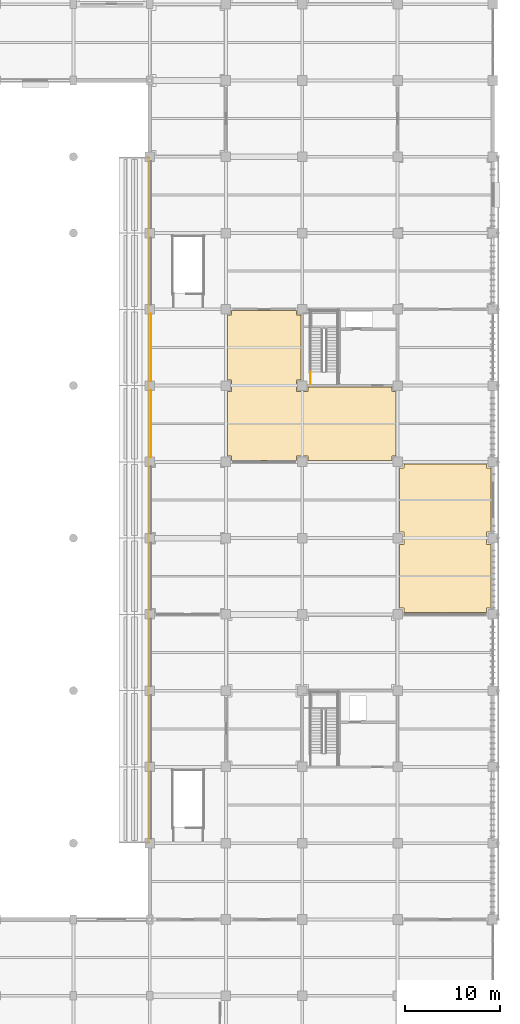
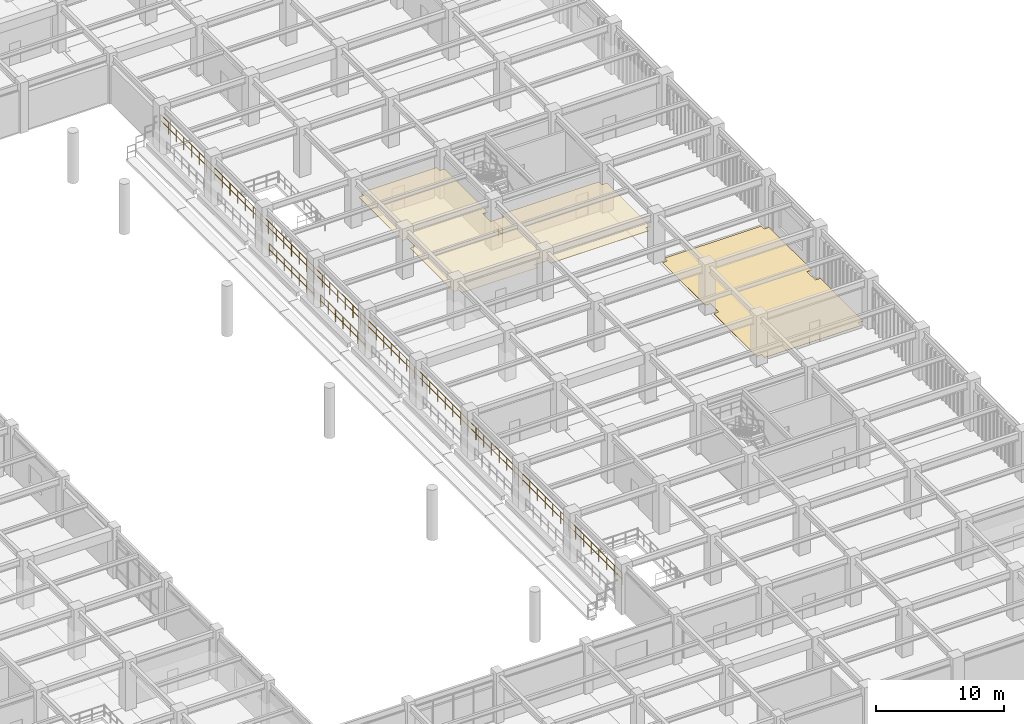
# One storey, part 112 of 117: 4 railings, 2 coverings.
"""IFC4 building model written with IfcOpenShell, lengths in metres."""

from ifc_helpers import new_model, si_unit, direction, frame, origin, origin_2d, place, context, subcontext, project, spatial, polyline, circle, outline, extrude, material, layer, layer_set, type_object, element, save


model = new_model("IFC4")

# Units and contexts
model_context = context("Model", 3, precision=1e-05, world=origin(), true_north=direction((0.0, 1.0)))
body_context = subcontext(model_context, "Body", "Model", "MODEL_VIEW")
ifc_project = project(units=[si_unit("LENGTHUNIT", "METRE"), si_unit("AREAUNIT", "SQUARE_METRE"), si_unit("VOLUMEUNIT", "CUBIC_METRE"), si_unit("PLANEANGLEUNIT", "RADIAN"), si_unit("MASSUNIT", "GRAM", prefix="KILO")], contexts=[model_context])

# Site, building, storey
site_placement = place(None, origin())
site = spatial("IfcSite", under=ifc_project, at=site_placement, CompositionType="ELEMENT")
building_placement = place(site_placement, origin())
building = spatial("IfcBuilding", under=site, at=building_placement, Name="Haebicheon Civic Stadium", CompositionType="ELEMENT")
storey_placement = place(building_placement, frame((0.0, 0.0, 4.800048828125)))
storey = spatial("IfcBuildingStorey", under=building, at=storey_placement, Name="L02", CompositionType="ELEMENT", Elevation=4.800048828125)

# Coverings
ifc_material_1 = material(Name="Perforated mineral-fibre acoustic board", Category="gypsum")
ifc_layer_1 = layer(ifc_material_1, 0.0400390625, Name="Perforated mineral-fibre acoustic board")
ifc_layer_set_1 = layer_set([ifc_layer_1], Name="Perforated mineral-fibre acoustic board")
covering_type_1 = type_object("IfcCoveringType", Name="COV-CLG-AC", PredefinedType="CEILING", material=ifc_layer_set_1)
covering_1_placement = place(storey_placement, frame((0.0, 0.0, 2.81005859375)))
element("IfcCovering", 1, at=covering_1_placement, inside=storey, type_object=covering_type_1, material=ifc_layer_set_1, Name="L02 Community Stand Concourse acoustic ceiling", PredefinedType="CEILING", context=body_context, shape_type="SweptSolid", body=[
    extrude(outline(polyline([(208.14501953125, 103.405029296875), (208.594970703125, 103.405029296875), (208.594970703125, 104.594970703125), (208.14501953125, 104.594970703125), (208.14501953125, 111.405029296875), (208.594970703125, 111.405029296875), (208.594970703125, 111.85498046875), (215.405029296875, 111.85498046875), (215.405029296875, 111.405029296875), (215.85498046875, 111.405029296875), (215.85498046875, 104.594970703125), (215.405029296875, 104.594970703125), (215.405029296875, 103.405029296875), (216.594970703125, 103.405029296875), (216.594970703125, 103.85498046875), (225.405029296875, 103.85498046875), (225.405029296875, 103.405029296875), (225.85498046875, 103.405029296875), (225.85498046875, 96.594970703125), (225.405029296875, 96.594970703125), (225.405029296875, 96.14501953125), (216.594970703125, 96.14501953125), (216.594970703125, 96.594970703125), (215.405029296875, 96.594970703125), (215.405029296875, 96.14501953125), (208.594970703125, 96.14501953125), (208.594970703125, 96.594970703125), (208.14501953125, 96.594970703125), (208.14501953125, 103.405029296875)])), origin(), (0.0, 0.0, 1.0), 0.039794921875),
])
ifc_material_2 = material(Name="Quartz epoxy resin mortar", Category="concrete")
ifc_layer_2 = layer(ifc_material_2, 0.030029296875, Name="Quartz epoxy resin mortar")
ifc_layer_set_2 = layer_set([ifc_layer_2], Name="Quartz epoxy resin mortar")
covering_type_2 = type_object("IfcCoveringType", Name="COV-FLR-EPX", PredefinedType="FLOORING", material=ifc_layer_set_2)
covering_2_placement = place(storey_placement, origin())
element("IfcCovering", 2, at=covering_2_placement, inside=storey, type_object=covering_type_2, material=ifc_layer_set_2, Name="L02 Sports Rehabilitation Gym non-slip floor finish", PredefinedType="FLOORING", context=body_context, shape_type="SweptSolid", body=[
    extrude(outline(polyline([(226.64990234375, 80.199951171875), (226.64990234375, 80.64990234375), (226.199951171875, 80.64990234375), (226.199951171875, 87.35009765625), (226.64990234375, 87.35009765625), (226.64990234375, 88.64990234375), (226.199951171875, 88.64990234375), (226.199951171875, 95.35009765625), (226.64990234375, 95.35009765625), (226.64990234375, 95.800048828125), (235.35009765625, 95.800048828125), (235.35009765625, 95.35009765625), (235.800048828125, 95.35009765625), (235.800048828125, 88.64990234375), (235.35009765625, 88.64990234375), (235.35009765625, 87.35009765625), (235.800048828125, 87.35009765625), (235.800048828125, 80.64990234375), (235.35009765625, 80.64990234375), (235.35009765625, 80.199951171875), (226.64990234375, 80.199951171875)])), origin(), (0.0, 0.0, 1.0), 0.030029296875),
])

# Railings
ifc_material_3 = material(Name="Stainless steel 316 and laminated glass", Category="steel")
railing_type_1 = type_object("IfcRailingType", Name="RL-BAL-1200", PredefinedType="BALUSTRADE", material=ifc_material_3)
for number, where, name in (
    (3, (200.139892578125, 96.5, 0.0), "L02 concourse bowl-edge balustrade 038"),
    (4, (200.139892578125, 104.5, 0.0), "L02 concourse bowl-edge balustrade 039"),
):
    element("IfcRailing", number, at=place(storey_placement, frame(where)), inside=storey, type_object=railing_type_1, material=ifc_material_3, Name=name, PredefinedType="BALUSTRADE", context=body_context, shape_type="SweptSolid", body=[
        extrude(circle(Radius=0.02392578125, at=origin_2d()), frame((0.0, 0.0, 1.17578125), z_axis=(0.0, 1.0, 0.0), x_axis=(-1.0, 0.0, 0.0)), (0.0, 0.0, 1.0), 7.0),
        extrude(circle(Radius=0.02392578125, at=origin_2d()), frame((0.0, 0.0, 0.60009765625), z_axis=(0.0, 1.0, 0.0), x_axis=(-1.0, 0.0, 0.0)), (0.0, 0.0, 1.0), 7.0),
        extrude(circle(Radius=0.02099609375, at=origin_2d()), origin(), (0.0, 0.0, 1.0), 1.15185546875),
        extrude(circle(Radius=0.02099609375, at=origin_2d()), frame((0.0, 1.166748046875, 0.0)), (0.0, 0.0, 1.0), 1.15185546875),
        extrude(circle(Radius=0.02099609375, at=origin_2d()), frame((0.0, 2.333251953125, 0.0)), (0.0, 0.0, 1.0), 1.15185546875),
        extrude(circle(Radius=0.02099609375, at=origin_2d()), frame((0.0, 3.5, 0.0)), (0.0, 0.0, 1.0), 1.15185546875),
        extrude(circle(Radius=0.02099609375, at=origin_2d()), frame((0.0, 4.666748046875, 0.0)), (0.0, 0.0, 1.0), 1.15185546875),
        extrude(circle(Radius=0.02099609375, at=origin_2d()), frame((0.0, 5.833251953125, 0.0)), (0.0, 0.0, 1.0), 1.15185546875),
        extrude(circle(Radius=0.02099609375, at=origin_2d()), frame((0.0, 7.0, 0.0)), (0.0, 0.0, 1.0), 1.15185546875),
    ])
railing_1_placement = place(storey_placement, frame((199.8798828125, 56.06005859375, 2.39990234375)))
element("IfcRailing", 5, at=railing_1_placement, inside=storey, type_object=railing_type_1, material=ifc_material_3, Name="TIER-C-L upper gangway balustrade", PredefinedType="BALUSTRADE", context=body_context, shape_type="SweptSolid", body=[
    extrude(circle(Radius=0.02392578125, at=origin_2d()), frame((0.0, 0.0, 1.17578125), z_axis=(0.0, 1.0, 0.0), x_axis=(-1.0, 0.0, 0.0)), (0.0, 0.0, 1.0), 71.8798828125),
    extrude(circle(Radius=0.02392578125, at=origin_2d()), frame((0.0, 0.0, 0.60009765625), z_axis=(0.0, 1.0, 0.0), x_axis=(-1.0, 0.0, 0.0)), (0.0, 0.0, 1.0), 71.8798828125),
    extrude(circle(Radius=0.02099609375, at=origin_2d()), origin(), (0.0, 0.0, 1.0), 1.15185546875),
    extrude(circle(Radius=0.02099609375, at=origin_2d()), frame((0.0, 1.197998046875, 0.0)), (0.0, 0.0, 1.0), 1.15185546875),
    extrude(circle(Radius=0.02099609375, at=origin_2d()), frame((0.0, 2.39599609375, 0.0)), (0.0, 0.0, 1.0), 1.15185546875),
    extrude(circle(Radius=0.02099609375, at=origin_2d()), frame((0.0, 3.593994140625, 0.0)), (0.0, 0.0, 1.0), 1.15185546875),
    extrude(circle(Radius=0.02099609375, at=origin_2d()), frame((0.0, 4.7919921875, 0.0)), (0.0, 0.0, 1.0), 1.15185546875),
    extrude(circle(Radius=0.02099609375, at=origin_2d()), frame((0.0, 5.989990234375, 0.0)), (0.0, 0.0, 1.0), 1.15185546875),
    extrude(circle(Radius=0.02099609375, at=origin_2d()), frame((0.0, 7.18798828125, 0.0)), (0.0, 0.0, 1.0), 1.15185546875),
    extrude(circle(Radius=0.02099609375, at=origin_2d()), frame((0.0, 8.385986328125, 0.0)), (0.0, 0.0, 1.0), 1.15185546875),
    extrude(circle(Radius=0.02099609375, at=origin_2d()), frame((0.0, 9.583984375, 0.0)), (0.0, 0.0, 1.0), 1.15185546875),
    extrude(circle(Radius=0.02099609375, at=origin_2d()), frame((0.0, 10.781982421875, 0.0)), (0.0, 0.0, 1.0), 1.15185546875),
    extrude(circle(Radius=0.02099609375, at=origin_2d()), frame((0.0, 11.97998046875, 0.0)), (0.0, 0.0, 1.0), 1.15185546875),
    extrude(circle(Radius=0.02099609375, at=origin_2d()), frame((0.0, 13.177978515625, 0.0)), (0.0, 0.0, 1.0), 1.15185546875),
    extrude(circle(Radius=0.02099609375, at=origin_2d()), frame((0.0, 14.3759765625, 0.0)), (0.0, 0.0, 1.0), 1.15185546875),
    extrude(circle(Radius=0.02099609375, at=origin_2d()), frame((0.0, 15.573974609375, 0.0)), (0.0, 0.0, 1.0), 1.15185546875),
    extrude(circle(Radius=0.02099609375, at=origin_2d()), frame((0.0, 16.77197265625, 0.0)), (0.0, 0.0, 1.0), 1.15185546875),
    extrude(circle(Radius=0.02099609375, at=origin_2d()), frame((0.0, 17.969970703125, 0.0)), (0.0, 0.0, 1.0), 1.15185546875),
    extrude(circle(Radius=0.02099609375, at=origin_2d()), frame((0.0, 19.16796875, 0.0)), (0.0, 0.0, 1.0), 1.15185546875),
    extrude(circle(Radius=0.02099609375, at=origin_2d()), frame((0.0, 20.365966796875, 0.0)), (0.0, 0.0, 1.0), 1.15185546875),
    extrude(circle(Radius=0.02099609375, at=origin_2d()), frame((0.0, 21.56396484375, 0.0)), (0.0, 0.0, 1.0), 1.15185546875),
    extrude(circle(Radius=0.02099609375, at=origin_2d()), frame((0.0, 22.761962890625, 0.0)), (0.0, 0.0, 1.0), 1.15185546875),
    extrude(circle(Radius=0.02099609375, at=origin_2d()), frame((0.0, 23.9599609375, 0.0)), (0.0, 0.0, 1.0), 1.15185546875),
    extrude(circle(Radius=0.02099609375, at=origin_2d()), frame((0.0, 25.157958984375, 0.0)), (0.0, 0.0, 1.0), 1.15185546875),
    extrude(circle(Radius=0.02099609375, at=origin_2d()), frame((0.0, 26.35595703125, 0.0)), (0.0, 0.0, 1.0), 1.15185546875),
    extrude(circle(Radius=0.02099609375, at=origin_2d()), frame((0.0, 27.553955078125, 0.0)), (0.0, 0.0, 1.0), 1.15185546875),
    extrude(circle(Radius=0.02099609375, at=origin_2d()), frame((0.0, 28.751953125, 0.0)), (0.0, 0.0, 1.0), 1.15185546875),
    extrude(circle(Radius=0.02099609375, at=origin_2d()), frame((0.0, 29.949951171875, 0.0)), (0.0, 0.0, 1.0), 1.15185546875),
    extrude(circle(Radius=0.02099609375, at=origin_2d()), frame((0.0, 31.14794921875, 0.0)), (0.0, 0.0, 1.0), 1.15185546875),
    extrude(circle(Radius=0.02099609375, at=origin_2d()), frame((0.0, 32.345947265625, 0.0)), (0.0, 0.0, 1.0), 1.15185546875),
    extrude(circle(Radius=0.02099609375, at=origin_2d()), frame((0.0, 33.5439453125, 0.0)), (0.0, 0.0, 1.0), 1.15185546875),
    extrude(circle(Radius=0.02099609375, at=origin_2d()), frame((0.0, 34.741943359375, 0.0)), (0.0, 0.0, 1.0), 1.15185546875),
    extrude(circle(Radius=0.02099609375, at=origin_2d()), frame((0.0, 35.93994140625, 0.0)), (0.0, 0.0, 1.0), 1.15185546875),
    extrude(circle(Radius=0.02099609375, at=origin_2d()), frame((0.0, 37.137939453125, 0.0)), (0.0, 0.0, 1.0), 1.15185546875),
    extrude(circle(Radius=0.02099609375, at=origin_2d()), frame((0.0, 38.3359375, 0.0)), (0.0, 0.0, 1.0), 1.15185546875),
    extrude(circle(Radius=0.02099609375, at=origin_2d()), frame((0.0, 39.533935546875, 0.0)), (0.0, 0.0, 1.0), 1.15185546875),
    extrude(circle(Radius=0.02099609375, at=origin_2d()), frame((0.0, 40.73193359375, 0.0)), (0.0, 0.0, 1.0), 1.15185546875),
    extrude(circle(Radius=0.02099609375, at=origin_2d()), frame((0.0, 41.929931640625, 0.0)), (0.0, 0.0, 1.0), 1.15185546875),
    extrude(circle(Radius=0.02099609375, at=origin_2d()), frame((0.0, 43.1279296875, 0.0)), (0.0, 0.0, 1.0), 1.15185546875),
    extrude(circle(Radius=0.02099609375, at=origin_2d()), frame((0.0, 44.325927734375, 0.0)), (0.0, 0.0, 1.0), 1.15185546875),
    extrude(circle(Radius=0.02099609375, at=origin_2d()), frame((0.0, 45.52392578125, 0.0)), (0.0, 0.0, 1.0), 1.15185546875),
    extrude(circle(Radius=0.02099609375, at=origin_2d()), frame((0.0, 46.721923828125, 0.0)), (0.0, 0.0, 1.0), 1.15185546875),
    extrude(circle(Radius=0.02099609375, at=origin_2d()), frame((0.0, 47.919921875, 0.0)), (0.0, 0.0, 1.0), 1.15185546875),
    extrude(circle(Radius=0.02099609375, at=origin_2d()), frame((0.0, 49.117919921875, 0.0)), (0.0, 0.0, 1.0), 1.15185546875),
    extrude(circle(Radius=0.02099609375, at=origin_2d()), frame((0.0, 50.31591796875, 0.0)), (0.0, 0.0, 1.0), 1.15185546875),
    extrude(circle(Radius=0.02099609375, at=origin_2d()), frame((0.0, 51.513916015625, 0.0)), (0.0, 0.0, 1.0), 1.15185546875),
    extrude(circle(Radius=0.02099609375, at=origin_2d()), frame((0.0, 52.7119140625, 0.0)), (0.0, 0.0, 1.0), 1.15185546875),
    extrude(circle(Radius=0.02099609375, at=origin_2d()), frame((0.0, 53.909912109375, 0.0)), (0.0, 0.0, 1.0), 1.15185546875),
    extrude(circle(Radius=0.02099609375, at=origin_2d()), frame((0.0, 55.10791015625, 0.0)), (0.0, 0.0, 1.0), 1.15185546875),
    extrude(circle(Radius=0.02099609375, at=origin_2d()), frame((0.0, 56.305908203125, 0.0)), (0.0, 0.0, 1.0), 1.15185546875),
    extrude(circle(Radius=0.02099609375, at=origin_2d()), frame((0.0, 57.50390625, 0.0)), (0.0, 0.0, 1.0), 1.15185546875),
    extrude(circle(Radius=0.02099609375, at=origin_2d()), frame((0.0, 58.701904296875, 0.0)), (0.0, 0.0, 1.0), 1.15185546875),
    extrude(circle(Radius=0.02099609375, at=origin_2d()), frame((0.0, 59.89990234375, 0.0)), (0.0, 0.0, 1.0), 1.15185546875),
    extrude(circle(Radius=0.02099609375, at=origin_2d()), frame((0.0, 61.097900390625, 0.0)), (0.0, 0.0, 1.0), 1.15185546875),
    extrude(circle(Radius=0.02099609375, at=origin_2d()), frame((0.0, 62.2958984375, 0.0)), (0.0, 0.0, 1.0), 1.15185546875),
    extrude(circle(Radius=0.02099609375, at=origin_2d()), frame((0.0, 63.493896484375, 0.0)), (0.0, 0.0, 1.0), 1.15185546875),
    extrude(circle(Radius=0.02099609375, at=origin_2d()), frame((0.0, 64.69189453125, 0.0)), (0.0, 0.0, 1.0), 1.15185546875),
    extrude(circle(Radius=0.02099609375, at=origin_2d()), frame((0.0, 65.889892578125, 0.0)), (0.0, 0.0, 1.0), 1.15185546875),
    extrude(circle(Radius=0.02099609375, at=origin_2d()), frame((0.0, 67.087890625, 0.0)), (0.0, 0.0, 1.0), 1.15185546875),
    extrude(circle(Radius=0.02099609375, at=origin_2d()), frame((0.0, 68.285888671875, 0.0)), (0.0, 0.0, 1.0), 1.15185546875),
    extrude(circle(Radius=0.02099609375, at=origin_2d()), frame((0.0, 69.48388671875, 0.0)), (0.0, 0.0, 1.0), 1.15185546875),
    extrude(circle(Radius=0.02099609375, at=origin_2d()), frame((0.0, 70.681884765625, 0.0)), (0.0, 0.0, 1.0), 1.15185546875),
    extrude(circle(Radius=0.02099609375, at=origin_2d()), frame((0.0, 71.8798828125, 0.0)), (0.0, 0.0, 1.0), 1.15185546875),
])
ifc_material_4 = material(Name="Galvanised painted steel SM355", Category="steel")
railing_type_2 = type_object("IfcRailingType", Name="RL-GRD-1150", PredefinedType="GUARDRAIL", material=ifc_material_4)
railing_2_placement = place(storey_placement, frame((216.889892578125, 104.159912109375, 0.0)))
element("IfcRailing", 6, at=railing_2_placement, inside=storey, type_object=railing_type_2, material=ifc_material_4, Name="L02 ST-13 stair guard 9", PredefinedType="GUARDRAIL", context=body_context, shape_type="SweptSolid", body=[
    extrude(circle(Radius=0.02392578125, at=origin_2d()), frame((0.0, 0.0, 1.1259765625), z_axis=(0.0, 1.0, 0.0), x_axis=(-1.0, 0.0, 0.0)), (0.0, 0.0, 1.0), 1.2900390625),
    extrude(circle(Radius=0.02392578125, at=origin_2d()), frame((0.0, 0.0, 0.574951171875), z_axis=(0.0, 1.0, 0.0), x_axis=(-1.0, 0.0, 0.0)), (0.0, 0.0, 1.0), 1.2900390625),
    extrude(circle(Radius=0.02099609375, at=origin_2d()), origin(), (0.0, 0.0, 1.0), 1.101806640625),
    extrude(circle(Radius=0.02099609375, at=origin_2d()), frame((0.0, 0.64501953125, 0.0)), (0.0, 0.0, 1.0), 1.101806640625),
    extrude(circle(Radius=0.02099609375, at=origin_2d()), frame((0.0, 1.2900390625, 0.0)), (0.0, 0.0, 1.0), 1.101806640625),
])

save(model, "model.ifc")
